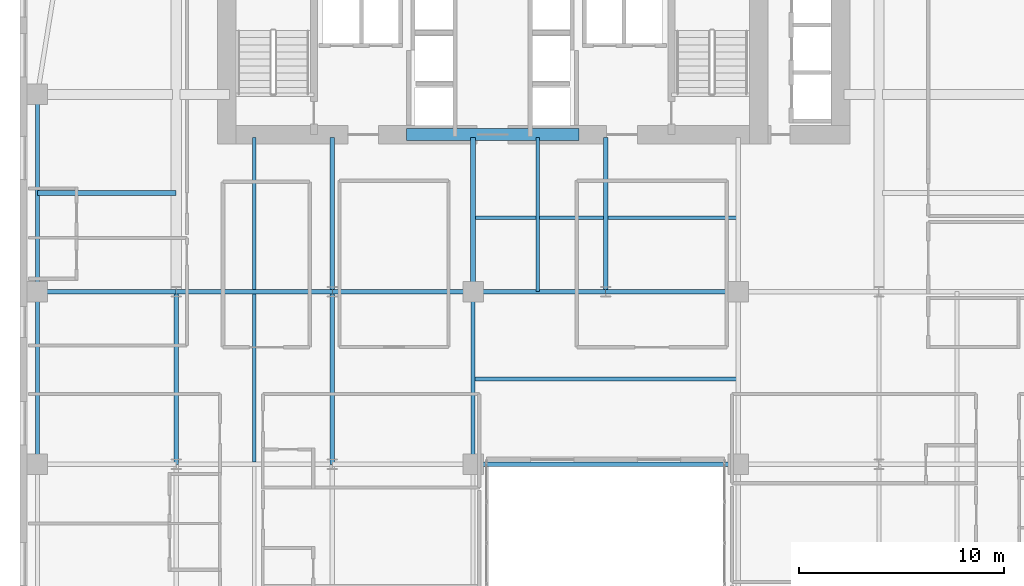
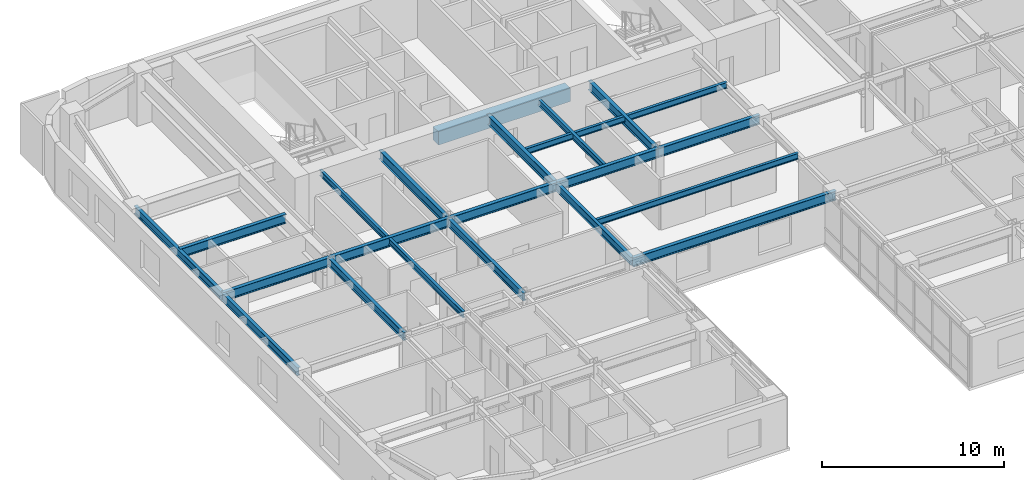
# One storey, part 4 of 17: 21 beams.
"""IFC4 building model written with IfcOpenShell, lengths in metres."""

from ifc_helpers import new_model, si_unit, direction, frame, origin, origin_2d, place, context, subcontext, project, spatial, rectangle, i_section, extrude, source, transform, mapped, material, material_profile, profile_set, type_object, type_shapes, element, save


model = new_model("IFC4")

# Units and contexts
model_context = context("Model", 3, precision=1e-05, world=origin(), true_north=direction((0.0, 1.0)))
body_context = subcontext(model_context, "Body", "Model", "MODEL_VIEW")
ifc_project = project(units=[si_unit("LENGTHUNIT", "METRE"), si_unit("AREAUNIT", "SQUARE_METRE"), si_unit("VOLUMEUNIT", "CUBIC_METRE"), si_unit("PLANEANGLEUNIT", "RADIAN"), si_unit("MASSUNIT", "GRAM", prefix="KILO")], contexts=[model_context])

# Site, building, storey
site_placement = place(None, origin())
site = spatial("IfcSite", under=ifc_project, at=site_placement, CompositionType="ELEMENT")
building_placement = place(site_placement, origin())
building = spatial("IfcBuilding", under=site, at=building_placement, Name="Tolvann Quenvar Hotel", CompositionType="ELEMENT")
storey_placement = place(building_placement, frame((0.0, 0.0, 42.64990234375)))
storey = spatial("IfcBuildingStorey", under=building, at=storey_placement, Name="L09", CompositionType="ELEMENT", Elevation=42.64990234375)

# Beams
ifc_material_1 = material(Name="Concrete N50 (50 MPa)", Category="concrete")
ifc_material_profile_1 = material_profile(ifc_material_1, rectangle(XDim=0.60009765625, YDim=0.89990234375, at=origin_2d()), Name="RC600x900")
ifc_profile_set_1 = profile_set([ifc_material_profile_1], Name="Concrete N50 (50 MPa)")
beam_type_1 = type_object("IfcBeamType", Name="BM_LINT_RC600x900", PredefinedType="LINTEL", material=ifc_profile_set_1)
shared_shape_1 = source(origin(), body_context, "Body", "SweptSolid", [
    extrude(rectangle(XDim=0.60009765625, YDim=0.89990234375, at=origin_2d()), origin(), (0.0, 0.0, 1.0), 8.39990234375),
])
type_shapes(beam_type_1, [shared_shape_1])
beam_1_placement = place(storey_placement, frame((18.800048828125, 32.050048828125, 2.920166015625), z_axis=(1.0, 0.0, 0.0), x_axis=(0.0, 1.0, 0.0)))
element("IfcBeam", 1, at=beam_1_placement, inside=storey, type_object=beam_type_1, Name="Core Coupling Lintel Beam (L09)", PredefinedType="LINTEL", context=body_context, shape_type="MappedRepresentation", body=[
    mapped(shared_shape_1, transform((0.0, 0.0, 0.0), x_axis=(1.0, 0.0, 0.0), y_axis=(0.0, 1.0, 0.0), z_axis=(0.0, 0.0, 1.0), scale=1.0)),
])
ifc_material_2 = material(Name="Steel Grade 350", Category="steel")
ifc_material_profile_2 = material_profile(ifc_material_2, i_section(OverallWidth=0.22900390625, OverallDepth=0.612060546875, WebThickness=0.011962890625, FlangeThickness=0.01953125, FilletRadius=0.013916015625, at=origin_2d()), Name="610UB125")
ifc_profile_set_2 = profile_set([ifc_material_profile_2], Name="Steel Grade 350")
beam_type_2 = type_object("IfcBeamType", Name="BM_GIRD_610UB125", PredefinedType="BEAM", material=ifc_profile_set_2)
shared_shape_2 = source(origin(), body_context, "Body", "SweptSolid", [
    extrude(i_section(OverallWidth=0.22900390625, OverallDepth=0.612060546875, WebThickness=0.011962890625, FlangeThickness=0.01953125, FilletRadius=0.013916015625, at=origin_2d()), origin(), (0.0, 0.0, 1.0), 6.75),
])
for number, where, z_axis, x_axis, name in (
    (2, (0.85009765625, 24.39990234375, 3.064208984375), (1.0, 0.0, 0.0), (0.0, 1.0, 0.0), "BM-L09-EW-5-B5-C5"),
    (3, (0.85009765625, 29.199951171875, 3.064208984375), (1.0, 0.0, 0.0), (0.0, 1.0, 0.0), "BM-L09-EW-BC29"),
):
    element("IfcBeam", number, at=place(storey_placement, frame(where, z_axis=z_axis, x_axis=x_axis)), inside=storey, type_object=beam_type_2, Name=name, PredefinedType="BEAM", context=body_context, shape_type="MappedRepresentation", body=[
        mapped(shared_shape_2, transform((0.0, 0.0, 0.0), x_axis=(1.0, 0.0, 0.0), y_axis=(0.0, 1.0, 0.0), z_axis=(0.0, 0.0, 1.0), scale=1.0)),
    ])
shared_shape_3 = source(origin(), body_context, "Body", "SweptSolid", [
    extrude(i_section(OverallWidth=0.22900390625, OverallDepth=0.612060546875, WebThickness=0.011962890625, FlangeThickness=0.01953125, FilletRadius=0.013916015625, at=origin_2d()), origin(), (0.0, 0.0, 1.0), 7.599853515625),
])
beam_2_placement = place(storey_placement, frame((7.60009765625, 24.39990234375, 3.064208984375), z_axis=(1.0, 0.0, 0.0), x_axis=(0.0, 1.0, 0.0)))
element("IfcBeam", 4, at=beam_2_placement, inside=storey, type_object=beam_type_2, Name="BM-L09-EW-5-C5-D5", PredefinedType="BEAM", context=body_context, shape_type="MappedRepresentation", body=[
    mapped(shared_shape_3, transform((0.0, 0.0, 0.0), x_axis=(1.0, 0.0, 0.0), y_axis=(0.0, 1.0, 0.0), z_axis=(0.0, 0.0, 1.0), scale=1.0)),
])
shared_shape_4 = source(origin(), body_context, "Body", "SweptSolid", [
    extrude(i_section(OverallWidth=0.22900390625, OverallDepth=0.612060546875, WebThickness=0.011962890625, FlangeThickness=0.01953125, FilletRadius=0.013916015625, at=origin_2d()), origin(), (0.0, 0.0, 1.0), 6.85009765625),
])
beam_3_placement = place(storey_placement, frame((15.199951171875, 24.39990234375, 3.064208984375), z_axis=(1.0, 0.0, 0.0), x_axis=(0.0, 1.0, 0.0)))
element("IfcBeam", 5, at=beam_3_placement, inside=storey, type_object=beam_type_2, Name="BM-L09-EW-5-D5-E5", PredefinedType="BEAM", context=body_context, shape_type="MappedRepresentation", body=[
    mapped(shared_shape_4, transform((0.0, 0.0, 0.0), x_axis=(1.0, 0.0, 0.0), y_axis=(0.0, 1.0, 0.0), z_axis=(0.0, 0.0, 1.0), scale=1.0)),
])
shared_shape_5 = source(origin(), body_context, "Body", "SweptSolid", [
    extrude(i_section(OverallWidth=0.22900390625, OverallDepth=0.612060546875, WebThickness=0.011962890625, FlangeThickness=0.01953125, FilletRadius=0.013916015625, at=origin_2d()), origin(), (0.0, 0.0, 1.0), 12.89990234375),
])
beam_4_placement = place(storey_placement, frame((22.050048828125, 16.0, 3.064208984375), z_axis=(1.0, 0.0, 0.0), x_axis=(0.0, 1.0, 0.0)))
element("IfcBeam", 6, at=beam_4_placement, inside=storey, type_object=beam_type_2, Name="BM-L09-EW-4-E4-F4", PredefinedType="BEAM", context=body_context, shape_type="MappedRepresentation", body=[
    mapped(shared_shape_5, transform((0.0, 0.0, 0.0), x_axis=(1.0, 0.0, 0.0), y_axis=(0.0, 1.0, 0.0), z_axis=(0.0, 0.0, 1.0), scale=1.0)),
])
shared_shape_6 = source(origin(), body_context, "Body", "SweptSolid", [
    extrude(i_section(OverallWidth=0.22900390625, OverallDepth=0.612060546875, WebThickness=0.011962890625, FlangeThickness=0.01953125, FilletRadius=0.013916015625, at=origin_2d()), origin(), (0.0, 0.0, 1.0), 6.449951171875),
])
for number, where, z_axis, x_axis, name in (
    (7, (22.050048828125, 24.39990234375, 3.064208984375), (1.0, 0.0, 0.0), (0.0, 1.0, 0.0), "BM-L09-EW-5-E5-M5"),
    (8, (28.5, 24.39990234375, 3.064208984375), (1.0, 0.0, 0.0), (0.0, 1.0, 0.0), "BM-L09-EW-5-M5-F5"),
):
    element("IfcBeam", number, at=place(storey_placement, frame(where, z_axis=z_axis, x_axis=x_axis)), inside=storey, type_object=beam_type_2, Name=name, PredefinedType="BEAM", context=body_context, shape_type="MappedRepresentation", body=[
        mapped(shared_shape_6, transform((0.0, 0.0, 0.0), x_axis=(1.0, 0.0, 0.0), y_axis=(0.0, 1.0, 0.0), z_axis=(0.0, 0.0, 1.0), scale=1.0)),
    ])
ifc_material_profile_3 = material_profile(ifc_material_2, i_section(OverallWidth=0.208984375, OverallDepth=0.528076171875, WebThickness=0.009521484375, FlangeThickness=0.01318359375, FilletRadius=0.013916015625, at=origin_2d()), Name="530UB82")
ifc_profile_set_3 = profile_set([ifc_material_profile_3], Name="Steel Grade 350")
beam_type_3 = type_object("IfcBeamType", Name="BM_SPAND_530UB82", PredefinedType="SPANDREL", material=ifc_profile_set_3)
shared_shape_7 = source(origin(), body_context, "Body", "SweptSolid", [
    extrude(i_section(OverallWidth=0.208984375, OverallDepth=0.528076171875, WebThickness=0.009521484375, FlangeThickness=0.01318359375, FilletRadius=0.013916015625, at=origin_2d()), origin(), (0.0, 0.0, 1.0), 8.39990234375),
])
beam_5_placement = place(storey_placement, frame((0.85009765625, 16.0, 3.106201171875), z_axis=(0.0, 1.0, 0.0), x_axis=(-1.0, 0.0, 0.0)))
element("IfcBeam", 9, at=beam_5_placement, inside=storey, type_object=beam_type_3, Name="BM-L09-NS-B4-B5", PredefinedType="SPANDREL", context=body_context, shape_type="MappedRepresentation", body=[
    mapped(shared_shape_7, transform((0.0, 0.0, 0.0), x_axis=(1.0, 0.0, 0.0), y_axis=(0.0, 1.0, 0.0), z_axis=(0.0, 0.0, 1.0), scale=1.0)),
])
ifc_material_profile_4 = material_profile(ifc_material_2, i_section(OverallWidth=0.208984375, OverallDepth=0.532958984375, WebThickness=0.01025390625, FlangeThickness=0.015625, FilletRadius=0.013916015625, at=origin_2d()), Name="530UB92")
ifc_profile_set_4 = profile_set([ifc_material_profile_4], Name="Steel Grade 350")
beam_type_4 = type_object("IfcBeamType", Name="BM_GIRD_530UB92", PredefinedType="BEAM", material=ifc_profile_set_4)
shared_shape_8 = source(origin(), body_context, "Body", "SweptSolid", [
    extrude(i_section(OverallWidth=0.208984375, OverallDepth=0.532958984375, WebThickness=0.01025390625, FlangeThickness=0.015625, FilletRadius=0.013916015625, at=origin_2d()), origin(), (0.0, 0.0, 1.0), 8.39990234375),
])
type_shapes(beam_type_4, [shared_shape_8])
for number, where, z_axis, x_axis, name in (
    (10, (7.60009765625, 16.0, 3.103515625), (0.0, 1.0, 0.0), (-1.0, 0.0, 0.0), "BM-L09-NS-C4-C5"),
    (11, (15.199951171875, 16.0, 3.103515625), (0.0, 1.0, 0.0), (-1.0, 0.0, 0.0), "BM-L09-NS-D4-D5"),
    (12, (22.050048828125, 16.0, 3.103515625), (0.0, 1.0, 0.0), (-1.0, 0.0, 0.0), "BM-L09-NS-E4-E5"),
):
    element("IfcBeam", number, at=place(storey_placement, frame(where, z_axis=z_axis, x_axis=x_axis)), inside=storey, type_object=beam_type_4, Name=name, PredefinedType="BEAM", context=body_context, shape_type="MappedRepresentation", body=[
        mapped(shared_shape_8, transform((0.0, 0.0, 0.0), x_axis=(1.0, 0.0, 0.0), y_axis=(0.0, 1.0, 0.0), z_axis=(0.0, 0.0, 1.0), scale=1.0)),
    ])
shared_shape_9 = source(origin(), body_context, "Body", "SweptSolid", [
    extrude(i_section(OverallWidth=0.22900390625, OverallDepth=0.612060546875, WebThickness=0.011962890625, FlangeThickness=0.01953125, FilletRadius=0.013916015625, at=origin_2d()), origin(), (0.0, 0.0, 1.0), 7.5),
])
type_shapes(beam_type_2, [shared_shape_2, shared_shape_3, shared_shape_4, shared_shape_5, shared_shape_6, shared_shape_9])
for number, where, z_axis, x_axis, name in (
    (13, (15.199951171875, 24.39990234375, 3.064208984375), (0.0, 1.0, 0.0), (-1.0, 0.0, 0.0), "BM-L09-CORE-D5"),
    (14, (22.050048828125, 24.39990234375, 3.064208984375), (0.0, 1.0, 0.0), (-1.0, 0.0, 0.0), "BM-L09-CORE-E5"),
    (15, (28.5, 24.39990234375, 3.064208984375), (0.0, 1.0, 0.0), (-1.0, 0.0, 0.0), "BM-L09-CORE-M5"),
):
    element("IfcBeam", number, at=place(storey_placement, frame(where, z_axis=z_axis, x_axis=x_axis)), inside=storey, type_object=beam_type_2, Name=name, PredefinedType="BEAM", context=body_context, shape_type="MappedRepresentation", body=[
        mapped(shared_shape_9, transform((0.0, 0.0, 0.0), x_axis=(1.0, 0.0, 0.0), y_axis=(0.0, 1.0, 0.0), z_axis=(0.0, 0.0, 1.0), scale=1.0)),
    ])
shared_shape_10 = source(origin(), body_context, "Body", "SweptSolid", [
    extrude(i_section(OverallWidth=0.208984375, OverallDepth=0.528076171875, WebThickness=0.009521484375, FlangeThickness=0.01318359375, FilletRadius=0.013916015625, at=origin_2d()), origin(), (0.0, 0.0, 1.0), 9.60009765625),
])
type_shapes(beam_type_3, [shared_shape_7, shared_shape_10])
beam_6_placement = place(storey_placement, frame((0.85009765625, 24.39990234375, 3.106201171875), z_axis=(0.0, 1.0, 0.0), x_axis=(-1.0, 0.0, 0.0)))
element("IfcBeam", 16, at=beam_6_placement, inside=storey, type_object=beam_type_3, Name="BM-L09-FLK-W1", PredefinedType="SPANDREL", context=body_context, shape_type="MappedRepresentation", body=[
    mapped(shared_shape_10, transform((0.0, 0.0, 0.0), x_axis=(1.0, 0.0, 0.0), y_axis=(0.0, 1.0, 0.0), z_axis=(0.0, 0.0, 1.0), scale=1.0)),
])
ifc_material_profile_5 = material_profile(ifc_material_2, i_section(OverallWidth=0.177978515625, OverallDepth=0.406005859375, WebThickness=0.0078125, FlangeThickness=0.0126953125, FilletRadius=0.011474609375, at=origin_2d()), Name="410UB60")
ifc_profile_set_5 = profile_set([ifc_material_profile_5], Name="Steel Grade 350")
beam_type_5 = type_object("IfcBeamType", Name="BM_JOIST_410UB60", PredefinedType="JOIST", material=ifc_profile_set_5)
shared_shape_11 = source(origin(), body_context, "Body", "SweptSolid", [
    extrude(i_section(OverallWidth=0.177978515625, OverallDepth=0.406005859375, WebThickness=0.0078125, FlangeThickness=0.0126953125, FilletRadius=0.011474609375, at=origin_2d()), origin(), (0.0, 0.0, 1.0), 12.89990234375),
])
for number, where, z_axis, x_axis, name in (
    (17, (22.050048828125, 20.14990234375, 3.1669921875), (1.0, 0.0, 0.0), (0.0, 1.0, 0.0), "BM-L09-SPINE-20"),
    (18, (22.050048828125, 28.0, 3.1669921875), (1.0, 0.0, 0.0), (0.0, 1.0, 0.0), "BM-L09-SPINE-28"),
):
    element("IfcBeam", number, at=place(storey_placement, frame(where, z_axis=z_axis, x_axis=x_axis)), inside=storey, type_object=beam_type_5, Name=name, PredefinedType="JOIST", context=body_context, shape_type="MappedRepresentation", body=[
        mapped(shared_shape_11, transform((0.0, 0.0, 0.0), x_axis=(1.0, 0.0, 0.0), y_axis=(0.0, 1.0, 0.0), z_axis=(0.0, 0.0, 1.0), scale=1.0)),
    ])
shared_shape_12 = source(origin(), body_context, "Body", "SweptSolid", [
    extrude(i_section(OverallWidth=0.177978515625, OverallDepth=0.406005859375, WebThickness=0.0078125, FlangeThickness=0.0126953125, FilletRadius=0.011474609375, at=origin_2d()), origin(), (0.0, 0.0, 1.0), 8.18310546875),
])
beam_7_placement = place(storey_placement, frame((11.39990234375, 16.1083984375, 3.1669921875), z_axis=(0.0, 1.0, 0.0), x_axis=(-1.0, 0.0, 0.0)))
element("IfcBeam", 19, at=beam_7_placement, inside=storey, type_object=beam_type_5, Name="BJ-L09-114-160", PredefinedType="JOIST", context=body_context, shape_type="MappedRepresentation", body=[
    mapped(shared_shape_12, transform((0.0, 0.0, 0.0), x_axis=(1.0, 0.0, 0.0), y_axis=(0.0, 1.0, 0.0), z_axis=(0.0, 0.0, 1.0), scale=1.0)),
])
shared_shape_13 = source(origin(), body_context, "Body", "SweptSolid", [
    extrude(i_section(OverallWidth=0.177978515625, OverallDepth=0.406005859375, WebThickness=0.0078125, FlangeThickness=0.0126953125, FilletRadius=0.011474609375, at=origin_2d()), origin(), (0.0, 0.0, 1.0), 7.391357421875),
])
beam_8_placement = place(storey_placement, frame((11.39990234375, 24.508544921875, 3.1669921875), z_axis=(0.0, 1.0, 0.0), x_axis=(-1.0, 0.0, 0.0)))
element("IfcBeam", 20, at=beam_8_placement, inside=storey, type_object=beam_type_5, Name="BJ-L09-114-244", PredefinedType="JOIST", context=body_context, shape_type="MappedRepresentation", body=[
    mapped(shared_shape_13, transform((0.0, 0.0, 0.0), x_axis=(1.0, 0.0, 0.0), y_axis=(0.0, 1.0, 0.0), z_axis=(0.0, 0.0, 1.0), scale=1.0)),
])
shared_shape_14 = source(origin(), body_context, "Body", "SweptSolid", [
    extrude(i_section(OverallWidth=0.177978515625, OverallDepth=0.406005859375, WebThickness=0.0078125, FlangeThickness=0.0126953125, FilletRadius=0.011474609375, at=origin_2d()), origin(), (0.0, 0.0, 1.0), 7.5),
])
type_shapes(beam_type_5, [shared_shape_11, shared_shape_12, shared_shape_13, shared_shape_14])
beam_9_placement = place(storey_placement, frame((25.199951171875, 24.39990234375, 3.1669921875), z_axis=(0.0, 1.0, 0.0), x_axis=(-1.0, 0.0, 0.0)))
element("IfcBeam", 21, at=beam_9_placement, inside=storey, type_object=beam_type_5, Name="BJ-L09-252-244", PredefinedType="JOIST", context=body_context, shape_type="MappedRepresentation", body=[
    mapped(shared_shape_14, transform((0.0, 0.0, 0.0), x_axis=(1.0, 0.0, 0.0), y_axis=(0.0, 1.0, 0.0), z_axis=(0.0, 0.0, 1.0), scale=1.0)),
])

save(model, "model.ifc")
